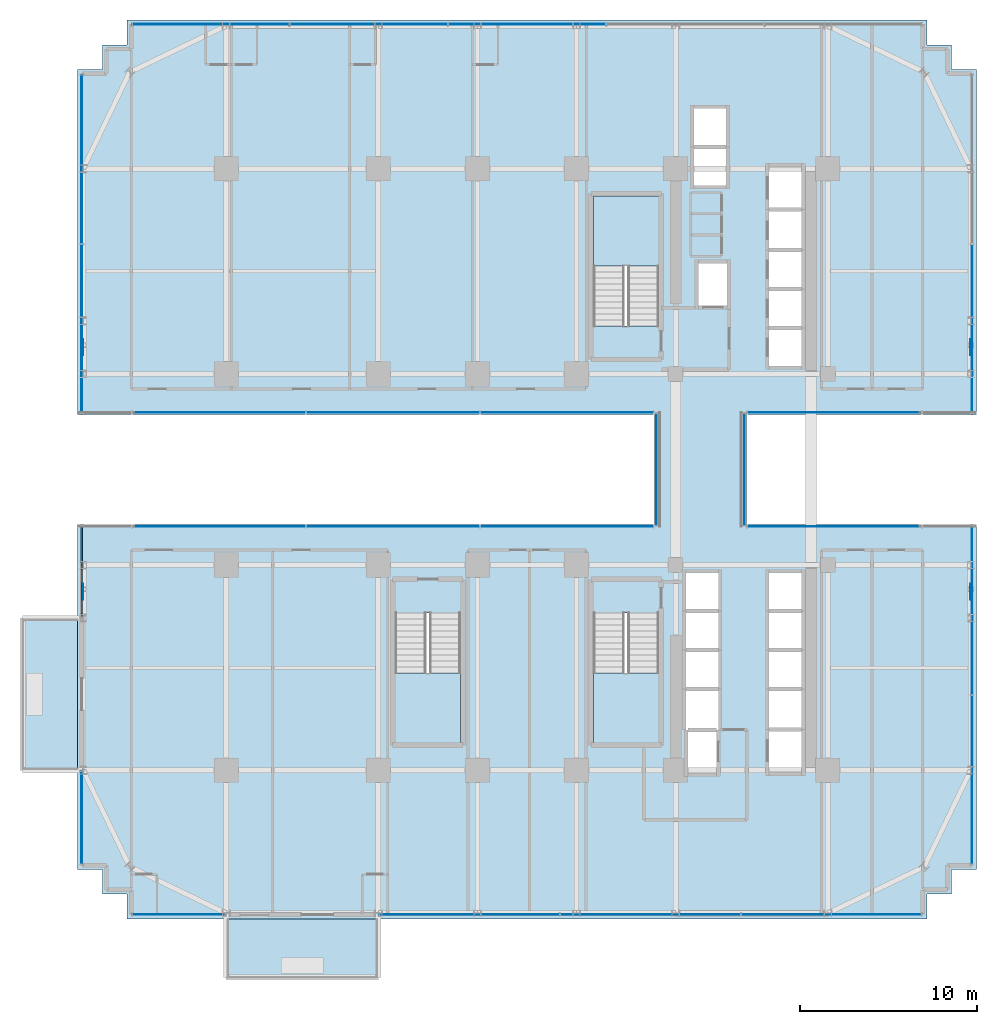
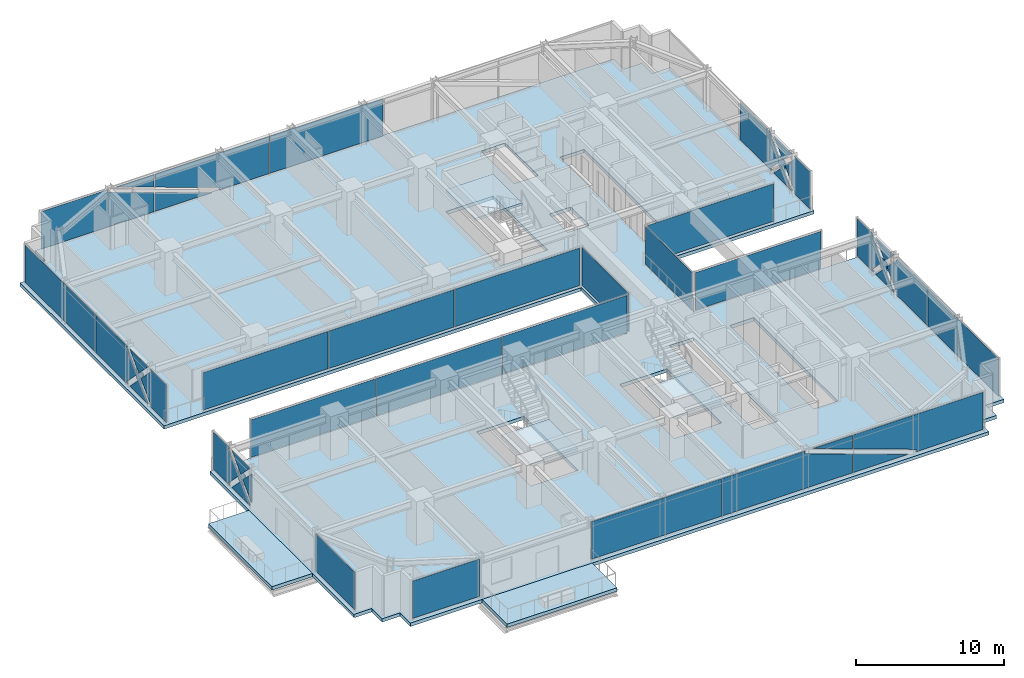
# One storey, part 30 of 37: 28 plates, 6 slabs, 17 elements without a shape of their own.
"""IFC4 building model written with IfcOpenShell, lengths in metres."""

from ifc_helpers import new_model, si_unit, direction, frame, origin, origin_2d, place, context, subcontext, project, spatial, polyline, rectangle, outline, extrude, source, transform, mapped, material, layer, layer_set, type_object, element, aggregate, save


model = new_model("IFC4")

# Units and contexts
model_context = context("Model", 3, precision=1e-05, world=origin(), true_north=direction((0.0, 1.0)))
body_context = subcontext(model_context, "Body", "Model", "MODEL_VIEW")
ifc_project = project(units=[si_unit("LENGTHUNIT", "METRE"), si_unit("AREAUNIT", "SQUARE_METRE"), si_unit("VOLUMEUNIT", "CUBIC_METRE"), si_unit("PLANEANGLEUNIT", "RADIAN"), si_unit("MASSUNIT", "GRAM", prefix="KILO")], contexts=[model_context])

# Site, building, storey
site_placement = place(None, origin())
site = spatial("IfcSite", under=ifc_project, at=site_placement, CompositionType="ELEMENT")
building_placement = place(site_placement, origin())
building = spatial("IfcBuilding", under=site, at=building_placement, Name="Nahalor Promenade Grand Hotel", CompositionType="ELEMENT")
storey_placement = place(building_placement, frame((0.0, 0.0, 65.25)))
storey = spatial("IfcBuildingStorey", under=building, at=storey_placement, Name="L15", CompositionType="ELEMENT", Elevation=65.25)

# Curtain wall, plates
ifc_material_1 = material(Name="Anodised Bronze Aluminium EN AW-6063 T6", Category="aluminium")
curtain_wall_type_1 = type_object("IfcCurtainWallType", Name="CW3 Elliptical-Void Collar Unitised Curtain Wall", PredefinedType="USERDEFINED", material=ifc_material_1)
curtain_wall_1_placement = place(storey_placement, origin())
curtain_wall_1 = element("IfcCurtainWall", 1, at=curtain_wall_1_placement, inside=storey, type_object=curtain_wall_type_1, Name="L15 Curtain Wall CW-L15-S-3", ObjectType="UNITISED_CURTAIN_WALL", PredefinedType="USERDEFINED")
ifc_material_2 = material(Name="Low-E Laminated Solar Glass", Category="glass")
ifc_layer_1 = layer(ifc_material_2, 0.030029296875)
ifc_layer_set_1 = layer_set([ifc_layer_1], Name="Low-E Laminated Solar Glass")
plate_type_1 = type_object("IfcPlateType", Name="CWP3 High-Wind Laminated Bronze IGU 30mm", PredefinedType="CURTAIN_PANEL", material=ifc_layer_set_1)
plate_1_placement = place(storey_placement, frame((6.97998046875, -25.159912109375, 0.14013671875), z_axis=(0.0, 0.0, 1.0), x_axis=(1.0, 0.0, 0.0)))
plate_1 = element("IfcPlate", 2, at=plate_1_placement, type_object=plate_type_1, Name="CW-L15-S-3 Glazing Panel 1-0", PredefinedType="CURTAIN_PANEL", context=body_context, shape_type="SweptSolid", body=[
    extrude(outline(polyline([(-5.091552734375, 0.0), (5.091552734375, 0.0), (5.091552734375, 1.556884765625), (1.3291015625, 2.900146484375), (1.39697265625, 3.090087890625), (-5.091552734375, 3.090087890625), (-5.091552734375, 0.0)])), frame((0.0, 0.01513671875, 0.0), z_axis=(0.0, -1.0, 0.0), x_axis=(1.0, 0.0, 0.0)), (0.0, 0.0, 1.0), 0.030029296875),
    extrude(outline(polyline([(5.091552734375, 1.981689453125), (5.091552734375, 3.090087890625), (1.98681640625, 3.090087890625), (5.091552734375, 1.981689453125)])), frame((0.0, 0.01513671875, 0.0), z_axis=(0.0, -1.0, 0.0), x_axis=(1.0, 0.0, 0.0)), (0.0, 0.0, 1.0), 0.030029296875),
])
plate_2_placement = place(storey_placement, frame((17.2158203125, -25.159912109375, 0.14013671875), z_axis=(0.0, 0.0, 1.0), x_axis=(1.0, 0.0, 0.0)))
plate_2 = element("IfcPlate", 3, at=plate_2_placement, type_object=plate_type_1, Name="CW-L15-S-3 Glazing Panel 2-0", PredefinedType="CURTAIN_PANEL", context=body_context, shape_type="SweptSolid", body=[
    extrude(outline(polyline([(5.07421875, 3.090087890625), (-5.07421875, 3.090087890625), (-5.07421875, 1.956787109375), (-0.125, 0.18994140625), (-0.19287109375, 0.0), (5.07421875, 0.0), (5.07421875, 3.090087890625)])), frame((0.0, 0.01513671875, 0.0), z_axis=(0.0, -1.0, 0.0), x_axis=(1.0, 0.0, 0.0)), (0.0, 0.0, 1.0), 0.030029296875),
    extrude(outline(polyline([(-5.07421875, 1.531982421875), (-5.07421875, 0.0), (-0.78271484375, 0.0), (-5.07421875, 1.531982421875)])), frame((0.0, 0.01513671875, 0.0), z_axis=(0.0, -1.0, 0.0), x_axis=(1.0, 0.0, 0.0)), (0.0, 0.0, 1.0), 0.030029296875),
])

curtain_wall_2_placement = place(storey_placement, origin())
curtain_wall_2 = element("IfcCurtainWall", 4, at=curtain_wall_2_placement, inside=storey, type_object=curtain_wall_type_1, Name="L15 Curtain Wall CW-L15-N-1", ObjectType="UNITISED_CURTAIN_WALL", PredefinedType="USERDEFINED")
plate_3_placement = place(storey_placement, frame((-17.87060546875, 25.159912109375, 0.14013671875), z_axis=(0.0, 0.0, 1.0), x_axis=(1.0, 0.0, 0.0)))
plate_3 = element("IfcPlate", 5, at=plate_3_placement, type_object=plate_type_1, Name="CW-L15-N-1 Glazing Panel 0-0", PredefinedType="CURTAIN_PANEL", context=body_context, shape_type="SweptSolid", body=[
    extrude(outline(polyline([(-4.41943359375, 0.0), (4.41943359375, 0.0), (4.41943359375, 1.600830078125), (0.77978515625, 2.900146484375), (0.847412109375, 3.090087890625), (-4.41943359375, 3.090087890625), (-4.41943359375, 0.0)])), frame((0.0, 0.01513671875, 0.0), z_axis=(0.0, -1.0, 0.0), x_axis=(1.0, 0.0, 0.0)), (0.0, 0.0, 1.0), 0.030029296875),
    extrude(outline(polyline([(4.41943359375, 2.025390625), (4.41943359375, 3.090087890625), (1.437255859375, 3.090087890625), (4.41943359375, 2.025390625)])), frame((0.0, 0.01513671875, 0.0), z_axis=(0.0, -1.0, 0.0), x_axis=(1.0, 0.0, 0.0)), (0.0, 0.0, 1.0), 0.030029296875),
])
plate_4_placement = place(storey_placement, frame((-8.944091796875, 25.159912109375, 0.14013671875), z_axis=(0.0, 0.0, 1.0), x_axis=(1.0, 0.0, 0.0)))
plate_4 = element("IfcPlate", 6, at=plate_4_placement, type_object=plate_type_1, Name="CW-L15-N-1 Glazing Panel 1-0", PredefinedType="CURTAIN_PANEL", context=body_context, shape_type="SweptSolid", body=[
    extrude(outline(polyline([(4.43701171875, 3.090087890625), (-4.43701171875, 3.090087890625), (-4.43701171875, 2.00048828125), (0.634765625, 0.18994140625), (0.56689453125, 0.0), (4.43701171875, 0.0), (4.43701171875, 3.090087890625)])), frame((0.0, 0.01513671875, 0.0), z_axis=(0.0, -1.0, 0.0), x_axis=(1.0, 0.0, 0.0)), (0.0, 0.0, 1.0), 0.030029296875),
    extrude(outline(polyline([(-4.43701171875, 1.57568359375), (-4.43701171875, 0.0), (-0.02294921875, 0.0), (-4.43701171875, 1.57568359375)])), frame((0.0, 0.01513671875, 0.0), z_axis=(0.0, -1.0, 0.0), x_axis=(1.0, 0.0, 0.0)), (0.0, 0.0, 1.0), 0.030029296875),
])

# Curtain wall, plate
curtain_wall_3_placement = place(storey_placement, origin())
curtain_wall_3 = element("IfcCurtainWall", 7, at=curtain_wall_3_placement, inside=storey, type_object=curtain_wall_type_1, Name="L15 Curtain Wall CW-L15-W-3", ObjectType="UNITISED_CURTAIN_WALL", PredefinedType="USERDEFINED")
plate_5_placement = place(storey_placement, frame((-25.159912109375, -5.75, 0.14013671875), z_axis=(0.0, 0.0, 1.0), x_axis=(0.0, 1.0, 0.0)))
plate_5 = element("IfcPlate", 8, at=plate_5_placement, type_object=plate_type_1, Name="CW-L15-W-3 Glazing Panel 0-0", PredefinedType="CURTAIN_PANEL", context=body_context, shape_type="SweptSolid", body=[
    extrude(outline(polyline([(-1.4296875, 1.544921875), (-2.580078125, 2.72216796875), (-2.580078125, 0.36767578125), (-1.4296875, 1.544921875)])), frame((0.0, 0.01513671875, 0.0), z_axis=(0.0, -1.0, 0.0), x_axis=(1.0, 0.0, 0.0)), (0.0, 0.0, 1.0), 0.030029296875),
    extrude(outline(polyline([(-1.14990234375, 1.2587890625), (-2.380126953125, 0.0), (0.080078125, 0.0), (-1.14990234375, 1.2587890625)])), frame((0.0, 0.01513671875, 0.0), z_axis=(0.0, -1.0, 0.0), x_axis=(1.0, 0.0, 0.0)), (0.0, 0.0, 1.0), 0.030029296875),
    extrude(outline(polyline([(-1.14990234375, 1.831298828125), (0.080078125, 3.090087890625), (-2.380126953125, 3.090087890625), (-1.14990234375, 1.831298828125)])), frame((0.0, 0.01513671875, 0.0), z_axis=(0.0, -1.0, 0.0), x_axis=(1.0, 0.0, 0.0)), (0.0, 0.0, 1.0), 0.030029296875),
    extrude(outline(polyline([(2.580078125, 0.0), (2.580078125, 3.090087890625), (0.37548828125, 3.090087890625), (0.510498046875, 2.9580078125), (-0.870361328125, 1.544921875), (0.510498046875, 0.1318359375), (0.37548828125, 0.0), (2.580078125, 0.0)])), frame((0.0, 0.01513671875, 0.0), z_axis=(0.0, -1.0, 0.0), x_axis=(1.0, 0.0, 0.0)), (0.0, 0.0, 1.0), 0.030029296875),
])
aggregate(curtain_wall_3, [plate_5])

curtain_wall_4_placement = place(storey_placement, origin())
curtain_wall_4 = element("IfcCurtainWall", 9, at=curtain_wall_4_placement, inside=storey, type_object=curtain_wall_type_1, Name="L15 Curtain Wall CW-L15-W-4", ObjectType="UNITISED_CURTAIN_WALL", PredefinedType="USERDEFINED")
plate_6_placement = place(storey_placement, frame((-25.159912109375, 7.9326171875, 0.14013671875), z_axis=(0.0, 0.0, 1.0), x_axis=(0.0, 1.0, 0.0)))
plate_6 = element("IfcPlate", 10, at=plate_6_placement, type_object=plate_type_1, Name="CW-L15-W-4 Glazing Panel 0-0", PredefinedType="CURTAIN_PANEL", context=body_context, shape_type="SweptSolid", body=[
    extrude(outline(polyline([(-4.762451171875, 3.090087890625), (-4.762451171875, 0.0), (-2.55810546875, 0.0), (-2.693115234375, 0.1318359375), (-1.31201171875, 1.544921875), (-2.693115234375, 2.9580078125), (-2.55810546875, 3.090087890625), (-4.762451171875, 3.090087890625)])), frame((0.0, 0.01513671875, 0.0), z_axis=(0.0, -1.0, 0.0), x_axis=(1.0, 0.0, 0.0)), (0.0, 0.0, 1.0), 0.030029296875),
    extrude(outline(polyline([(-1.032470703125, 1.2587890625), (-2.2626953125, 0.0), (0.197509765625, 0.0), (-1.032470703125, 1.2587890625)])), frame((0.0, 0.01513671875, 0.0), z_axis=(0.0, -1.0, 0.0), x_axis=(1.0, 0.0, 0.0)), (0.0, 0.0, 1.0), 0.030029296875),
    extrude(outline(polyline([(-1.032470703125, 1.831298828125), (0.19775390625, 3.090087890625), (-2.2626953125, 3.090087890625), (-1.032470703125, 1.831298828125)])), frame((0.0, 0.01513671875, 0.0), z_axis=(0.0, -1.0, 0.0), x_axis=(1.0, 0.0, 0.0)), (0.0, 0.0, 1.0), 0.030029296875),
    extrude(outline(polyline([(4.762451171875, 0.0), (4.762451171875, 3.090087890625), (0.492919921875, 3.090087890625), (0.6279296875, 2.9580078125), (-0.7529296875, 1.544921875), (0.6279296875, 0.1318359375), (0.492919921875, 0.0), (4.762451171875, 0.0)])), frame((0.0, 0.01513671875, 0.0), z_axis=(0.0, -1.0, 0.0), x_axis=(1.0, 0.0, 0.0)), (0.0, 0.0, 1.0), 0.030029296875),
])

curtain_wall_5_placement = place(storey_placement, origin())
curtain_wall_5 = element("IfcCurtainWall", 11, at=curtain_wall_5_placement, inside=storey, type_object=curtain_wall_type_1, Name="L15 Curtain Wall CW-L15-E-1", ObjectType="UNITISED_CURTAIN_WALL", PredefinedType="USERDEFINED")
plate_7_placement = place(storey_placement, frame((25.159912109375, -7.9326171875, 0.14013671875), z_axis=(0.0, 0.0, 1.0), x_axis=(0.0, 1.0, 0.0)))
plate_7 = element("IfcPlate", 12, at=plate_7_placement, type_object=plate_type_1, Name="CW-L15-E-1 Glazing Panel 1-0", PredefinedType="CURTAIN_PANEL", context=body_context, shape_type="SweptSolid", body=[
    extrude(outline(polyline([(-4.762451171875, 3.090087890625), (-4.762451171875, 0.0), (-0.492919921875, 0.0), (-0.6279296875, 0.1318359375), (0.7529296875, 1.544921875), (-0.6279296875, 2.9580078125), (-0.492919921875, 3.090087890625), (-4.762451171875, 3.090087890625)])), frame((0.0, 0.01513671875, 0.0), z_axis=(0.0, -1.0, 0.0), x_axis=(1.0, 0.0, 0.0)), (0.0, 0.0, 1.0), 0.030029296875),
    extrude(outline(polyline([(1.032470703125, 1.2587890625), (-0.19775390625, 0.0), (2.2626953125, 0.0), (1.032470703125, 1.2587890625)])), frame((0.0, 0.01513671875, 0.0), z_axis=(0.0, -1.0, 0.0), x_axis=(1.0, 0.0, 0.0)), (0.0, 0.0, 1.0), 0.030029296875),
    extrude(outline(polyline([(1.032470703125, 1.831298828125), (2.2626953125, 3.090087890625), (-0.197509765625, 3.090087890625), (1.032470703125, 1.831298828125)])), frame((0.0, 0.01513671875, 0.0), z_axis=(0.0, -1.0, 0.0), x_axis=(1.0, 0.0, 0.0)), (0.0, 0.0, 1.0), 0.030029296875),
    extrude(outline(polyline([(4.762451171875, 0.0), (4.762451171875, 3.090087890625), (2.55810546875, 3.090087890625), (2.693115234375, 2.9580078125), (1.31201171875, 1.544921875), (2.693115234375, 0.1318359375), (2.55810546875, 0.0), (4.762451171875, 0.0)])), frame((0.0, 0.01513671875, 0.0), z_axis=(0.0, -1.0, 0.0), x_axis=(1.0, 0.0, 0.0)), (0.0, 0.0, 1.0), 0.030029296875),
])

curtain_wall_6_placement = place(storey_placement, origin())
curtain_wall_6 = element("IfcCurtainWall", 13, at=curtain_wall_6_placement, inside=storey, type_object=curtain_wall_type_1, Name="L15 Curtain Wall CW-L15-E-2", ObjectType="UNITISED_CURTAIN_WALL", PredefinedType="USERDEFINED")
plate_8_placement = place(storey_placement, frame((25.159912109375, 7.9326171875, 0.14013671875), z_axis=(0.0, 0.0, 1.0), x_axis=(0.0, 1.0, 0.0)))
plate_8 = element("IfcPlate", 14, at=plate_8_placement, type_object=plate_type_1, Name="CW-L15-E-2 Glazing Panel 0-0", PredefinedType="CURTAIN_PANEL", context=body_context, shape_type="SweptSolid", body=[
    extrude(outline(polyline([(-4.762451171875, 3.090087890625), (-4.762451171875, 0.0), (-2.55810546875, 0.0), (-2.693115234375, 0.1318359375), (-1.31201171875, 1.544921875), (-2.693115234375, 2.9580078125), (-2.55810546875, 3.090087890625), (-4.762451171875, 3.090087890625)])), frame((0.0, 0.01513671875, 0.0), z_axis=(0.0, -1.0, 0.0), x_axis=(1.0, 0.0, 0.0)), (0.0, 0.0, 1.0), 0.030029296875),
    extrude(outline(polyline([(-1.032470703125, 1.2587890625), (-2.2626953125, 0.0), (0.197509765625, 0.0), (-1.032470703125, 1.2587890625)])), frame((0.0, 0.01513671875, 0.0), z_axis=(0.0, -1.0, 0.0), x_axis=(1.0, 0.0, 0.0)), (0.0, 0.0, 1.0), 0.030029296875),
    extrude(outline(polyline([(-1.032470703125, 1.831298828125), (0.19775390625, 3.090087890625), (-2.2626953125, 3.090087890625), (-1.032470703125, 1.831298828125)])), frame((0.0, 0.01513671875, 0.0), z_axis=(0.0, -1.0, 0.0), x_axis=(1.0, 0.0, 0.0)), (0.0, 0.0, 1.0), 0.030029296875),
    extrude(outline(polyline([(4.762451171875, 0.0), (4.762451171875, 3.090087890625), (0.492919921875, 3.090087890625), (0.6279296875, 2.9580078125), (-0.7529296875, 1.544921875), (0.6279296875, 0.1318359375), (0.492919921875, 0.0), (4.762451171875, 0.0)])), frame((0.0, 0.01513671875, 0.0), z_axis=(0.0, -1.0, 0.0), x_axis=(1.0, 0.0, 0.0)), (0.0, 0.0, 1.0), 0.030029296875),
])
aggregate(curtain_wall_6, [plate_8])

# Stair, slab
ifc_material_3 = material(Name="Concrete B-50 (C40/50)", Category="concrete")
stair_type_1 = type_object("IfcStairType", Name="Stair-ST1", PredefinedType="HALF_TURN_STAIR", material=ifc_material_3)
stair_1_placement = place(storey_placement, origin())
stair_1 = element("IfcStair", 15, at=stair_1_placement, inside=storey, type_object=stair_type_1, Name="L15 ST1", PredefinedType="HALF_TURN_STAIR")
ifc_layer_2 = layer(ifc_material_3, 0.199951171875)
ifc_layer_set_2 = layer_set([ifc_layer_2], Name="Concrete B-50 (C40/50)")
slab_type_1 = type_object("IfcSlabType", Name="Landing-ST1", PredefinedType="LANDING", material=ifc_layer_set_2)
slab_1_placement = place(storey_placement, frame((0.0, 0.0, 1.625)))
slab_1 = element("IfcSlab", 16, at=slab_1_placement, type_object=slab_type_1, Name="ST1 landing 1", PredefinedType="LANDING", context=body_context, shape_type="SweptSolid", body=[
    extrude(outline(polyline([(7.449951171875, 11.5), (7.449951171875, 15.449951171875), (3.75, 15.449951171875), (3.75, 11.5), (7.449951171875, 11.5)])), origin(), (0.0, 0.0, 1.0), 0.199951171875),
])
aggregate(stair_1, [slab_1])

stair_type_2 = type_object("IfcStairType", Name="Stair-ST2", PredefinedType="HALF_TURN_STAIR", material=ifc_material_3)
stair_2_placement = place(storey_placement, origin())
stair_2 = element("IfcStair", 17, at=stair_2_placement, inside=storey, type_object=stair_type_2, Name="L15 ST2", PredefinedType="HALF_TURN_STAIR")
ifc_layer_3 = layer(ifc_material_3, 0.2099609375)
ifc_layer_set_3 = layer_set([ifc_layer_3], Name="Concrete B-50 (C40/50)")
slab_type_2 = type_object("IfcSlabType", Name="Landing-ST2", PredefinedType="LANDING", material=ifc_layer_set_3)
slab_2_placement = place(storey_placement, frame((0.0, 0.0, 1.614990234375)))
slab_2 = element("IfcSlab", 18, at=slab_2_placement, type_object=slab_type_2, Name="ST2 landing 1", PredefinedType="LANDING", context=body_context, shape_type="SweptSolid", body=[
    extrude(outline(polyline([(3.75, -11.5), (3.75, -15.449951171875), (7.449951171875, -15.449951171875), (7.449951171875, -11.5), (3.75, -11.5)])), origin(), (0.0, 0.0, 1.0), 0.2099609375),
])
aggregate(stair_2, [slab_2])

stair_type_3 = type_object("IfcStairType", Name="Stair-ST3", PredefinedType="HALF_TURN_STAIR", material=ifc_material_3)
stair_3_placement = place(storey_placement, origin())
stair_3 = element("IfcStair", 19, at=stair_3_placement, inside=storey, type_object=stair_type_3, Name="L15 ST3", PredefinedType="HALF_TURN_STAIR")
ifc_layer_4 = layer(ifc_material_3, 0.219970703125)
ifc_layer_set_4 = layer_set([ifc_layer_4], Name="Concrete B-50 (C40/50)")
slab_type_3 = type_object("IfcSlabType", Name="Landing-ST3", PredefinedType="LANDING", material=ifc_layer_set_4)
slab_3_placement = place(storey_placement, frame((0.0, 0.0, 1.60498046875)))
slab_3 = element("IfcSlab", 20, at=slab_3_placement, type_object=slab_type_3, Name="ST3 landing 1", PredefinedType="LANDING", context=body_context, shape_type="SweptSolid", body=[
    extrude(outline(polyline([(-7.449951171875, -11.5), (-7.449951171875, -15.449951171875), (-3.75, -15.449951171875), (-3.75, -11.5), (-7.449951171875, -11.5)])), origin(), (0.0, 0.0, 1.0), 0.219970703125),
])
aggregate(stair_3, [slab_3])

# Slabs
ifc_layer_5 = layer(ifc_material_3, 0.280029296875)
ifc_layer_set_5 = layer_set([ifc_layer_5], Name="Concrete B-50 (C40/50)")
slab_type_4 = type_object("IfcSlabType", Name="Slab-Balcony-280", PredefinedType="FLOOR", material=ifc_layer_set_5)
slab_4_placement = place(storey_placement, frame((0.0, 0.0, -0.280029296875)))
element("IfcSlab", 21, at=slab_4_placement, inside=storey, type_object=slab_type_4, Name="L15 Cantilevered Planted Balcony 1", PredefinedType="FLOOR", context=body_context, shape_type="SweptSolid", body=[
    extrude(outline(polyline([(-17.0, -28.780029296875), (-8.39990234375, -28.780029296875), (-8.39990234375, -25.39990234375), (-17.0, -25.39990234375), (-17.0, -28.780029296875)])), origin(), (0.0, 0.0, 1.0), 0.280029296875),
])
slab_5_placement = place(storey_placement, frame((0.0, 0.0, -0.280029296875)))
element("IfcSlab", 22, at=slab_5_placement, inside=storey, type_object=slab_type_4, Name="L15 Cantilevered Planted Balcony 2", PredefinedType="FLOOR", context=body_context, shape_type="SweptSolid", body=[
    extrude(outline(polyline([(-28.580078125, -17.0), (-25.39990234375, -17.0), (-25.39990234375, -8.39990234375), (-28.580078125, -8.39990234375), (-28.580078125, -17.0)])), origin(), (0.0, 0.0, 1.0), 0.280029296875),
])
ifc_layer_6 = layer(ifc_material_3, 0.280029296875)
ifc_layer_set_6 = layer_set([ifc_layer_6], Name="Concrete B-50 (C40/50)")
slab_type_5 = type_object("IfcSlabType", Name="Slab-TowerZ1-280", PredefinedType="FLOOR", material=ifc_layer_set_6)
slab_6_placement = place(storey_placement, frame((0.0, 0.0, -0.280029296875)))
element("IfcSlab", 23, at=slab_6_placement, inside=storey, type_object=slab_type_5, Name="L15 Suspended Structural Floor Slab", PredefinedType="FLOOR", context=body_context, shape_type="SweptSolid", body=[
    extrude(outline(polyline([(-22.60009765625, -25.39990234375), (22.60009765625, -25.39990234375), (22.60009765625, -24.0), (24.0, -24.0), (24.0, -22.60009765625), (25.39990234375, -22.60009765625), (25.39990234375, -3.10009765625), (12.39990234375, -3.10009765625), (12.39990234375, 3.10009765625), (25.39990234375, 3.10009765625), (25.39990234375, 22.60009765625), (24.0, 22.60009765625), (24.0, 24.0), (22.60009765625, 24.0), (22.60009765625, 25.39990234375), (-22.60009765625, 25.39990234375), (-22.60009765625, 24.0), (-24.0, 24.0), (-24.0, 22.60009765625), (-25.39990234375, 22.60009765625), (-25.39990234375, 3.10009765625), (7.199951171875, 3.10009765625), (7.199951171875, -3.10009765625), (-25.39990234375, -3.10009765625), (-25.39990234375, -22.60009765625), (-24.0, -22.60009765625), (-24.0, -24.0), (-22.60009765625, -24.0), (-22.60009765625, -25.39990234375)]), holes=[polyline([(3.75, 8.10009765625), (7.449951171875, 8.10009765625), (7.449951171875, 15.449951171875), (3.75, 15.449951171875), (3.75, 8.10009765625)]), polyline([(3.75, -15.449951171875), (7.449951171875, -15.449951171875), (7.449951171875, -8.10009765625), (3.75, -8.10009765625), (3.75, -15.449951171875)]), polyline([(-7.449951171875, -15.449951171875), (-3.75, -15.449951171875), (-3.75, -8.10009765625), (-7.449951171875, -8.10009765625), (-7.449951171875, -15.449951171875)]), polyline([(13.659912109375, 5.81005859375), (15.5400390625, 5.81005859375), (15.5400390625, 17.139892578125), (13.659912109375, 17.139892578125), (13.659912109375, 5.81005859375)]), polyline([(13.659912109375, -17.139892578125), (15.5400390625, -17.139892578125), (15.5400390625, -5.81005859375), (13.659912109375, -5.81005859375), (13.659912109375, -17.139892578125)]), polyline([(8.9599609375, -17.18994140625), (10.840087890625, -17.18994140625), (10.840087890625, -5.81005859375), (8.9599609375, -5.81005859375), (8.9599609375, -17.18994140625)]), polyline([(9.409912109375, 16.010009765625), (11.2900390625, 16.010009765625), (11.2900390625, 20.43994140625), (9.409912109375, 20.43994140625), (9.409912109375, 16.010009765625)]), polyline([(9.659912109375, 9.2099609375), (11.340087890625, 9.2099609375), (11.340087890625, 11.68994140625), (9.659912109375, 11.68994140625), (9.659912109375, 9.2099609375)])]), origin(), (0.0, 0.0, 1.0), 0.280029296875),
])

# Plates
ifc_material_4 = material(Name="Steel S355J2", Category="steel")
ifc_layer_7 = layer(ifc_material_4, 0.035888671875)
ifc_layer_set_7 = layer_set([ifc_layer_7], Name="Steel S355J2")
plate_type_2 = type_object("IfcPlateType", Name="Plate-CrossGusset-36", PredefinedType="USERDEFINED", material=ifc_layer_set_7)
shared_shape_1 = source(origin(), body_context, "Body", "SweptSolid", [
    extrude(rectangle(XDim=0.89990234375, YDim=0.035888671875, at=origin_2d()), origin(), (0.0, 0.0, 1.0), 0.89990234375),
])
for number, where, z_axis, x_axis, name in (
    (24, (-25.080078125, -6.89990234375, 1.235107421875), (0.0, 0.0, 1.0), (0.0, 1.0, 0.0), "PL-L15-VXX-W0"),
    (25, (-25.080078125, 6.89990234375, 1.235107421875), (0.0, 0.0, 1.0), (0.0, 1.0, 0.0), "PL-L15-VXX-W1"),
    (26, (25.080078125, -6.89990234375, 1.235107421875), (0.0, 0.0, 1.0), (0.0, 1.0, 0.0), "PL-L15-VXX-E0"),
    (27, (25.080078125, 6.89990234375, 1.235107421875), (0.0, 0.0, 1.0), (0.0, 1.0, 0.0), "PL-L15-VXX-E1"),
):
    element("IfcPlate", number, at=place(storey_placement, frame(where, z_axis=z_axis, x_axis=x_axis)), inside=storey, type_object=plate_type_2, Name=name, ObjectType="GUSSET_PLATE", PredefinedType="USERDEFINED", context=body_context, shape_type="MappedRepresentation", body=[
        mapped(shared_shape_1, transform((0.0, 0.0, 0.0), scale=1.0)),
    ])

# Curtain wall, plate
curtain_wall_7_placement = place(storey_placement, origin())
curtain_wall_7 = element("IfcCurtainWall", 28, at=curtain_wall_7_placement, inside=storey, type_object=curtain_wall_type_1, Name="L15 Curtain Wall CW-L15-S-1", ObjectType="UNITISED_CURTAIN_WALL", PredefinedType="USERDEFINED")
shared_shape_2 = source(origin(), body_context, "Body", "SweptSolid", [
    extrude(rectangle(XDim=5.219970703125, YDim=0.030029296875, at=origin_2d()), origin(), (0.0, 0.0, 1.0), 3.090087890625),
])
plate_9_placement = place(storey_placement, frame((-19.679931640625, -25.159912109375, 0.14013671875), z_axis=(0.0, 0.0, 1.0), x_axis=(1.0, 0.0, 0.0)))
plate_9 = element("IfcPlate", 29, at=plate_9_placement, type_object=plate_type_1, Name="CW-L15-S-1 Glazing Panel 0-0", PredefinedType="CURTAIN_PANEL", context=body_context, shape_type="MappedRepresentation", body=[
    mapped(shared_shape_2, transform((0.0, 0.0, 0.0), scale=1.0)),
])
aggregate(curtain_wall_7, [plate_9])

curtain_wall_8_placement = place(storey_placement, origin())
curtain_wall_8 = element("IfcCurtainWall", 30, at=curtain_wall_8_placement, inside=storey, type_object=curtain_wall_type_1, Name="L15 Curtain Wall CW-L15-W-1", ObjectType="UNITISED_CURTAIN_WALL", PredefinedType="USERDEFINED")
plate_10_placement = place(storey_placement, frame((-25.159912109375, -19.679931640625, 0.14013671875), z_axis=(0.0, 0.0, 1.0), x_axis=(0.0, 1.0, 0.0)))
plate_10 = element("IfcPlate", 31, at=plate_10_placement, type_object=plate_type_1, Name="CW-L15-W-1 Glazing Panel 0-0", PredefinedType="CURTAIN_PANEL", context=body_context, shape_type="MappedRepresentation", body=[
    mapped(shared_shape_2, transform((0.0, 0.0, 0.0), scale=1.0)),
])
aggregate(curtain_wall_8, [plate_10])

# Plate
shared_shape_3 = source(origin(), body_context, "Body", "SweptSolid", [
    extrude(rectangle(XDim=10.1484375, YDim=0.030029296875, at=origin_2d()), origin(), (0.0, 0.0, 1.0), 3.090087890625),
])
plate_11_placement = place(storey_placement, frame((-3.255859375, -25.159912109375, 0.14013671875), z_axis=(0.0, 0.0, 1.0), x_axis=(1.0, 0.0, 0.0)))
plate_11 = element("IfcPlate", 32, at=plate_11_placement, type_object=plate_type_1, Name="CW-L15-S-3 Glazing Panel 0-0", PredefinedType="CURTAIN_PANEL", context=body_context, shape_type="MappedRepresentation", body=[
    mapped(shared_shape_3, transform((0.0, 0.0, 0.0), scale=1.0)),
])

aggregate(curtain_wall_1, [plate_11, plate_1, plate_2])

shared_shape_4 = source(origin(), body_context, "Body", "SweptSolid", [
    extrude(rectangle(XDim=8.8740234375, YDim=0.030029296875, at=origin_2d()), origin(), (0.0, 0.0, 1.0), 3.090087890625),
])
plate_12_placement = place(storey_placement, frame((0.0, 25.159912109375, 0.14013671875), z_axis=(0.0, 0.0, 1.0), x_axis=(1.0, 0.0, 0.0)))
plate_12 = element("IfcPlate", 33, at=plate_12_placement, type_object=plate_type_1, Name="CW-L15-N-1 Glazing Panel 2-0", PredefinedType="CURTAIN_PANEL", context=body_context, shape_type="MappedRepresentation", body=[
    mapped(shared_shape_4, transform((0.0, 0.0, 0.0), scale=1.0)),
])

aggregate(curtain_wall_2, [plate_3, plate_4, plate_12])

# Curtain wall, plates
curtain_wall_9_placement = place(storey_placement, origin())
curtain_wall_9 = element("IfcCurtainWall", 34, at=curtain_wall_9_placement, inside=storey, type_object=curtain_wall_type_1, Name="L15 Curtain Wall CW-L15-VOID-WS1", ObjectType="UNITISED_CURTAIN_WALL", PredefinedType="USERDEFINED")
shared_shape_5 = source(origin(), body_context, "Body", "SweptSolid", [
    extrude(rectangle(XDim=9.748291015625, YDim=0.030029296875, at=origin_2d()), origin(), (0.0, 0.0, 1.0), 3.090087890625),
])
plate_13_placement = place(storey_placement, frame((-17.415771484375, -3.219970703125, 0.14013671875), z_axis=(0.0, 0.0, 1.0), x_axis=(1.0, 0.0, 0.0)))
plate_13 = element("IfcPlate", 35, at=plate_13_placement, type_object=plate_type_1, Name="CW-L15-VOID-WS1 Glazing Panel 0-0", PredefinedType="CURTAIN_PANEL", context=body_context, shape_type="MappedRepresentation", body=[
    mapped(shared_shape_5, transform((0.0, 0.0, 0.0), scale=1.0)),
])
plate_14_placement = place(storey_placement, frame((2.255859375, -3.219970703125, 0.14013671875), z_axis=(0.0, 0.0, 1.0), x_axis=(1.0, 0.0, 0.0)))
plate_14 = element("IfcPlate", 36, at=plate_14_placement, type_object=plate_type_1, Name="CW-L15-VOID-WS1 Glazing Panel 2-0", PredefinedType="CURTAIN_PANEL", context=body_context, shape_type="MappedRepresentation", body=[
    mapped(shared_shape_5, transform((0.0, 0.0, 0.0), scale=1.0)),
])

curtain_wall_10_placement = place(storey_placement, origin())
curtain_wall_10 = element("IfcCurtainWall", 37, at=curtain_wall_10_placement, inside=storey, type_object=curtain_wall_type_1, Name="L15 Curtain Wall CW-L15-VOID-WN1", ObjectType="UNITISED_CURTAIN_WALL", PredefinedType="USERDEFINED")
plate_15_placement = place(storey_placement, frame((-17.415771484375, 3.219970703125, 0.14013671875), z_axis=(0.0, 0.0, 1.0), x_axis=(1.0, 0.0, 0.0)))
plate_15 = element("IfcPlate", 38, at=plate_15_placement, type_object=plate_type_1, Name="CW-L15-VOID-WN1 Glazing Panel 0-0", PredefinedType="CURTAIN_PANEL", context=body_context, shape_type="MappedRepresentation", body=[
    mapped(shared_shape_5, transform((0.0, 0.0, 0.0), scale=1.0)),
])
plate_16_placement = place(storey_placement, frame((2.255859375, 3.219970703125, 0.14013671875), z_axis=(0.0, 0.0, 1.0), x_axis=(1.0, 0.0, 0.0)))
plate_16 = element("IfcPlate", 39, at=plate_16_placement, type_object=plate_type_1, Name="CW-L15-VOID-WN1 Glazing Panel 2-0", PredefinedType="CURTAIN_PANEL", context=body_context, shape_type="MappedRepresentation", body=[
    mapped(shared_shape_5, transform((0.0, 0.0, 0.0), scale=1.0)),
])

# Plate
shared_shape_6 = source(origin(), body_context, "Body", "SweptSolid", [
    extrude(rectangle(XDim=9.783447265625, YDim=0.030029296875, at=origin_2d()), origin(), (0.0, 0.0, 1.0), 3.090087890625),
])
plate_17_placement = place(storey_placement, frame((-7.580078125, -3.219970703125, 0.14013671875), z_axis=(0.0, 0.0, 1.0), x_axis=(1.0, 0.0, 0.0)))
plate_17 = element("IfcPlate", 40, at=plate_17_placement, type_object=plate_type_1, Name="CW-L15-VOID-WS1 Glazing Panel 1-0", PredefinedType="CURTAIN_PANEL", context=body_context, shape_type="MappedRepresentation", body=[
    mapped(shared_shape_6, transform((0.0, 0.0, 0.0), scale=1.0)),
])

aggregate(curtain_wall_9, [plate_13, plate_17, plate_14])

plate_18_placement = place(storey_placement, frame((-7.580078125, 3.219970703125, 0.14013671875), z_axis=(0.0, 0.0, 1.0), x_axis=(1.0, 0.0, 0.0)))
plate_18 = element("IfcPlate", 41, at=plate_18_placement, type_object=plate_type_1, Name="CW-L15-VOID-WN1 Glazing Panel 1-0", PredefinedType="CURTAIN_PANEL", context=body_context, shape_type="MappedRepresentation", body=[
    mapped(shared_shape_6, transform((0.0, 0.0, 0.0), scale=1.0)),
])

aggregate(curtain_wall_10, [plate_15, plate_18, plate_16])

# Curtain wall, plate
curtain_wall_11_placement = place(storey_placement, origin())
curtain_wall_11 = element("IfcCurtainWall", 42, at=curtain_wall_11_placement, inside=storey, type_object=curtain_wall_type_1, Name="L15 Curtain Wall CW-L15-VOID-ES1", ObjectType="UNITISED_CURTAIN_WALL", PredefinedType="USERDEFINED")
shared_shape_7 = source(origin(), body_context, "Body", "SweptSolid", [
    extrude(rectangle(XDim=9.820068359375, YDim=0.030029296875, at=origin_2d()), origin(), (0.0, 0.0, 1.0), 3.090087890625),
])
plate_19_placement = place(storey_placement, frame((17.3798828125, -3.219970703125, 0.14013671875), z_axis=(0.0, 0.0, 1.0), x_axis=(1.0, 0.0, 0.0)))
plate_19 = element("IfcPlate", 43, at=plate_19_placement, type_object=plate_type_1, Name="CW-L15-VOID-ES1 Glazing Panel 0-0", PredefinedType="CURTAIN_PANEL", context=body_context, shape_type="MappedRepresentation", body=[
    mapped(shared_shape_7, transform((0.0, 0.0, 0.0), scale=1.0)),
])
aggregate(curtain_wall_11, [plate_19])

curtain_wall_12_placement = place(storey_placement, origin())
curtain_wall_12 = element("IfcCurtainWall", 44, at=curtain_wall_12_placement, inside=storey, type_object=curtain_wall_type_1, Name="L15 Curtain Wall CW-L15-VOID-EN1", ObjectType="UNITISED_CURTAIN_WALL", PredefinedType="USERDEFINED")
plate_20_placement = place(storey_placement, frame((17.3798828125, 3.219970703125, 0.14013671875), z_axis=(0.0, 0.0, 1.0), x_axis=(1.0, 0.0, 0.0)))
plate_20 = element("IfcPlate", 45, at=plate_20_placement, type_object=plate_type_1, Name="CW-L15-VOID-EN1 Glazing Panel 0-0", PredefinedType="CURTAIN_PANEL", context=body_context, shape_type="MappedRepresentation", body=[
    mapped(shared_shape_7, transform((0.0, 0.0, 0.0), scale=1.0)),
])
aggregate(curtain_wall_12, [plate_20])

# Plate
shared_shape_8 = source(origin(), body_context, "Body", "SweptSolid", [
    extrude(rectangle(XDim=9.52490234375, YDim=0.030029296875, at=origin_2d()), origin(), (0.0, 0.0, 1.0), 3.090087890625),
])
plate_21_placement = place(storey_placement, frame((-25.159912109375, 17.527587890625, 0.14013671875), z_axis=(0.0, 0.0, 1.0), x_axis=(0.0, 1.0, 0.0)))
plate_21 = element("IfcPlate", 46, at=plate_21_placement, type_object=plate_type_1, Name="CW-L15-W-4 Glazing Panel 1-0", PredefinedType="CURTAIN_PANEL", context=body_context, shape_type="MappedRepresentation", body=[
    mapped(shared_shape_8, transform((0.0, 0.0, 0.0), scale=1.0)),
])

aggregate(curtain_wall_4, [plate_6, plate_21])

plate_22_placement = place(storey_placement, frame((25.159912109375, -17.527587890625, 0.14013671875), z_axis=(0.0, 0.0, 1.0), x_axis=(0.0, 1.0, 0.0)))
plate_22 = element("IfcPlate", 47, at=plate_22_placement, type_object=plate_type_1, Name="CW-L15-E-1 Glazing Panel 0-0", PredefinedType="CURTAIN_PANEL", context=body_context, shape_type="MappedRepresentation", body=[
    mapped(shared_shape_8, transform((0.0, 0.0, 0.0), scale=1.0)),
])

aggregate(curtain_wall_5, [plate_22, plate_7])

# Curtain wall, plate
curtain_wall_type_2 = type_object("IfcCurtainWallType", Name="CW4 Low-Iron Sky-Gallery Bridge Curtain Wall", PredefinedType="USERDEFINED", material=ifc_material_1)
curtain_wall_13_placement = place(storey_placement, origin())
curtain_wall_13 = element("IfcCurtainWall", 48, at=curtain_wall_13_placement, inside=storey, type_object=curtain_wall_type_2, Name="L15 Curtain Wall CW-L15-BRG-W", ObjectType="UNITISED_CURTAIN_WALL", PredefinedType="USERDEFINED")
ifc_layer_8 = layer(ifc_material_2, 0.02587890625)
ifc_layer_set_8 = layer_set([ifc_layer_8], Name="Low-E Laminated Solar Glass")
plate_type_3 = type_object("IfcPlateType", Name="CWP4 Ultra-Clear Low-Iron Bridge IGU 26mm", PredefinedType="CURTAIN_PANEL", material=ifc_layer_set_8)
shared_shape_9 = source(origin(), body_context, "Body", "SweptSolid", [
    extrude(rectangle(XDim=6.320068359375, YDim=0.02587890625, at=origin_2d()), origin(), (0.0, 0.0, 1.0), 3.1298828125),
])
plate_23_placement = place(storey_placement, frame((7.320068359375, 0.0, 0.1201171875), z_axis=(0.0, 0.0, 1.0), x_axis=(0.0, 1.0, 0.0)))
plate_23 = element("IfcPlate", 49, at=plate_23_placement, type_object=plate_type_3, Name="CW-L15-BRG-W Glazing Panel 0-0", PredefinedType="CURTAIN_PANEL", context=body_context, shape_type="MappedRepresentation", body=[
    mapped(shared_shape_9, transform((0.0, 0.0, 0.0), scale=1.0)),
])
aggregate(curtain_wall_13, [plate_23])

curtain_wall_14_placement = place(storey_placement, origin())
curtain_wall_14 = element("IfcCurtainWall", 50, at=curtain_wall_14_placement, inside=storey, type_object=curtain_wall_type_2, Name="L15 Curtain Wall CW-L15-BRG-E", ObjectType="UNITISED_CURTAIN_WALL", PredefinedType="USERDEFINED")
plate_24_placement = place(storey_placement, frame((12.280029296875, 0.0, 0.1201171875), z_axis=(0.0, 0.0, 1.0), x_axis=(0.0, 1.0, 0.0)))
plate_24 = element("IfcPlate", 51, at=plate_24_placement, type_object=plate_type_3, Name="CW-L15-BRG-E Glazing Panel 0-0", PredefinedType="CURTAIN_PANEL", context=body_context, shape_type="MappedRepresentation", body=[
    mapped(shared_shape_9, transform((0.0, 0.0, 0.0), scale=1.0)),
])
aggregate(curtain_wall_14, [plate_24])

save(model, "model.ifc")
